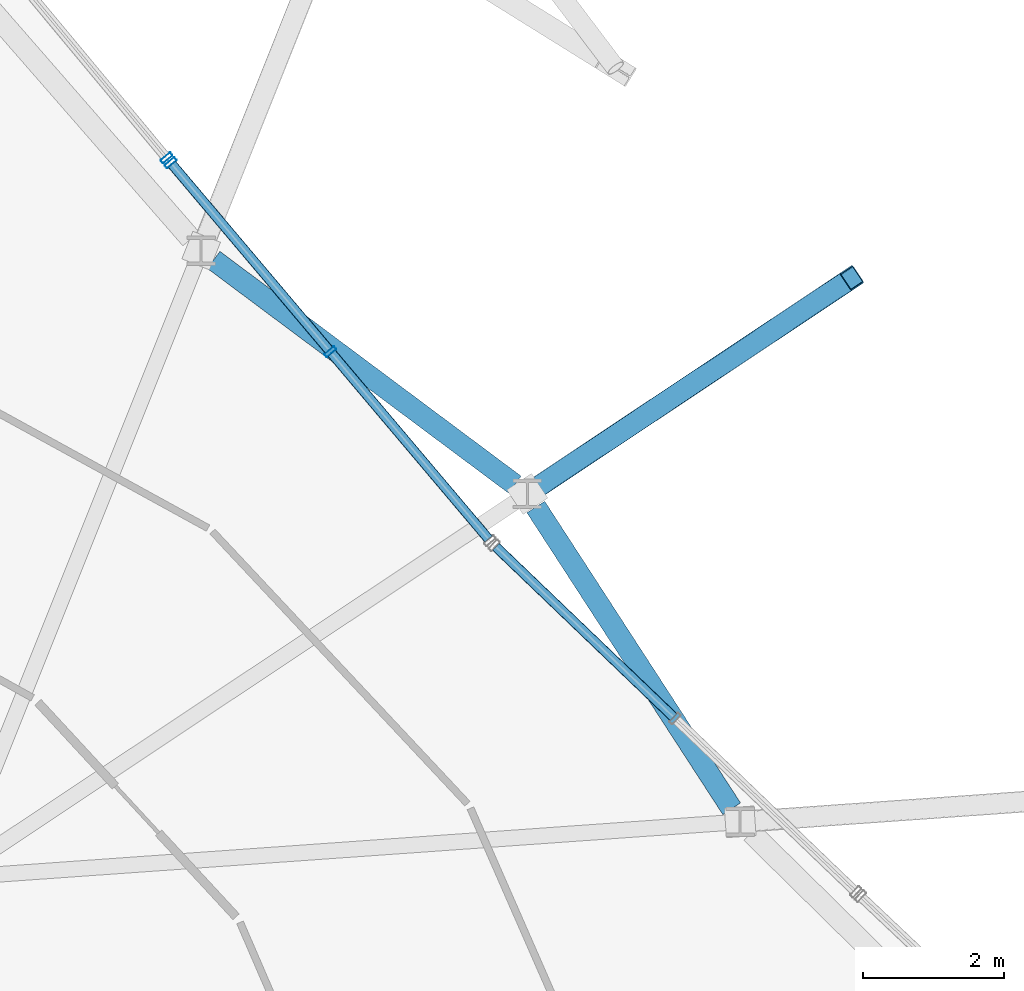
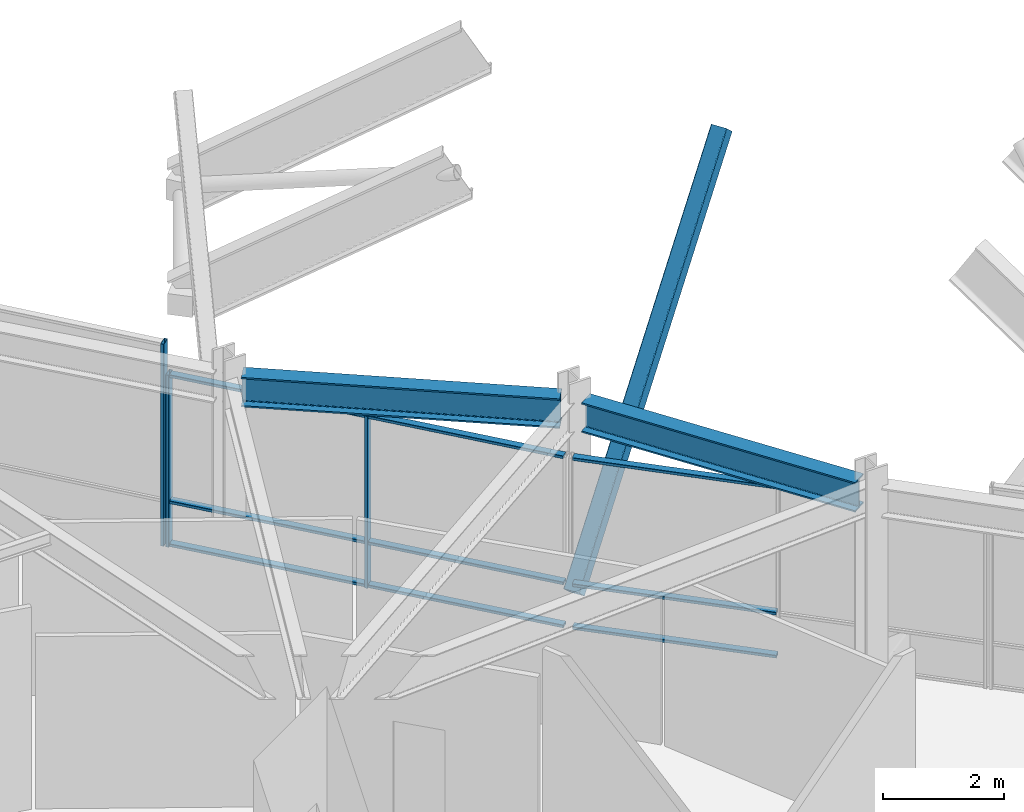
# One storey, part 37 of 53: 13 members, 2 beams, 3 elements without a shape of their own.
"""IFC4 building model written with IfcOpenShell, lengths in metres."""

from ifc_helpers import new_model, si_unit, direction, frame, origin, origin_2d, place, context, subcontext, project, spatial, hollow_rectangle, i_section, extrude, material, layer, layer_set, material_profile, profile_set, type_object, element, aggregate, save


model = new_model("IFC4")

# Units and contexts
model_context = context("Model", 3, precision=1e-05, world=origin(), true_north=direction((0.0, 1.0)))
body_context = subcontext(model_context, "Body", "Model", "MODEL_VIEW")
ifc_project = project(units=[si_unit("LENGTHUNIT", "METRE"), si_unit("AREAUNIT", "SQUARE_METRE"), si_unit("VOLUMEUNIT", "CUBIC_METRE"), si_unit("PLANEANGLEUNIT", "RADIAN"), si_unit("MASSUNIT", "GRAM", prefix="KILO")], contexts=[model_context])

# Site, building, storey
site_placement = place(None, origin())
site = spatial("IfcSite", under=ifc_project, at=site_placement, CompositionType="ELEMENT")
building_placement = place(site_placement, origin())
building = spatial("IfcBuilding", under=site, at=building_placement, Name="Kelanora Arch Commons", CompositionType="ELEMENT")
storey_placement = place(building_placement, frame((0.0, 0.0, 9.0)))
storey = spatial("IfcBuildingStorey", under=building, at=storey_placement, Name="L02", CompositionType="ELEMENT", Elevation=9.0)

# Beams
ifc_material_1 = material(Name="Steel S355", Category="steel")
ifc_material_profile_1 = material_profile(ifc_material_1, i_section(OverallWidth=0.300048828125, OverallDepth=0.60009765625, WebThickness=0.015380859375, FlangeThickness=0.030029296875, FilletRadius=0.027099609375, at=origin_2d()), Name="HEB600")
ifc_profile_set_1 = profile_set([ifc_material_profile_1], Name="Steel S355")
beam_type = type_object("IfcBeamType", Name="BM-SPN-Z1", PredefinedType="SPANDREL", material=ifc_profile_set_1)
beam_1_placement = place(storey_placement, frame((93.046142578125, 65.975341796875, 3.800048828125), z_axis=(-0.544524325677, 0.838745049908, 0.0), x_axis=(-0.838745049908, -0.544524325677, 0.0)))
element("IfcBeam", 1, at=beam_1_placement, inside=storey, type_object=beam_type, Name="Perimeter Spandrel Beam BS-02 L02", PredefinedType="SPANDREL", context=body_context, shape_type="SweptSolid", body=[
    extrude(i_section(OverallWidth=0.300048828125, OverallDepth=0.60009765625, WebThickness=0.015380859375, FlangeThickness=0.030029296875, FilletRadius=0.027099609375, at=origin_2d()), origin(), (0.0, 0.0, 1.0), 5.086669921875),
])
beam_2_placement = place(storey_placement, frame((89.980224609375, 70.5576171875, 3.800048828125), z_axis=(-0.801486366257, 0.598013047269, 0.0), x_axis=(-0.598013047269, -0.801486366257, 0.0)))
element("IfcBeam", 2, at=beam_2_placement, inside=storey, type_object=beam_type, Name="Perimeter Spandrel Beam BS-04 L02", PredefinedType="SPANDREL", context=body_context, shape_type="SweptSolid", body=[
    extrude(i_section(OverallWidth=0.300048828125, OverallDepth=0.60009765625, WebThickness=0.015380859375, FlangeThickness=0.030029296875, FilletRadius=0.027099609375, at=origin_2d()), origin(), (0.0, 0.0, 1.0), 5.31298828125),
])

# Curtain wall, members
ifc_material_2 = material(Name="Terracotta ceramic-fritted low-E glass and aluminium", Category="masonry")
ifc_layer = layer(ifc_material_2, 0.2099609375)
ifc_layer_set = layer_set([ifc_layer], Name="Terracotta ceramic-fritted low-E glass and aluminium")
curtain_wall_type = type_object("IfcCurtainWallType", Name="CW-SYS-04", PredefinedType="NOTDEFINED", material=ifc_layer_set)
curtain_wall_1_placement = place(storey_placement, origin())
curtain_wall_1 = element("IfcCurtainWall", 3, at=curtain_wall_1_placement, inside=storey, type_object=curtain_wall_type, Name="Unitised Curtain Wall L02-B02", PredefinedType="NOTDEFINED")
ifc_material_3 = material(Name="Powder-coated aluminium terracotta", Category="masonry")
ifc_material_profile_2 = material_profile(ifc_material_3, hollow_rectangle(XDim=0.179931640625, YDim=0.06005859375, WallThickness=0.0048828125, InnerFilletRadius=0.0048828125, OuterFilletRadius=0.010009765625, at=origin_2d()), Name="CWM180x60")
ifc_profile_set_2 = profile_set([ifc_material_profile_2], Name="Powder-coated aluminium terracotta")
member_type_1 = type_object("IfcMemberType", Name="CWM-HVY", PredefinedType="MULLION", material=ifc_profile_set_2)
member_1_placement = place(storey_placement, frame((87.37158203125, 72.43701171875, 0.0), z_axis=(0.0, 0.0, 1.0), x_axis=(-0.763854903949, -0.645388011752, 0.0)))
member_1 = element("IfcMember", 4, at=member_1_placement, type_object=member_type_1, Name="CW-04 mullion 2", PredefinedType="MULLION", context=body_context, shape_type="SweptSolid", body=[
    extrude(hollow_rectangle(XDim=0.179931640625, YDim=0.06005859375, WallThickness=0.0048828125, InnerFilletRadius=0.0048828125, OuterFilletRadius=0.010009765625, at=origin_2d()), origin(), (0.0, 0.0, 1.0), 3.47998046875),
])
member_2_placement = place(storey_placement, frame((85.1142578125, 75.108642578125, 0.0), z_axis=(0.0, 0.0, 1.0), x_axis=(-0.763854903949, -0.645388011752, 0.0)))
member_2 = element("IfcMember", 5, at=member_2_placement, type_object=member_type_1, Name="CW-04 mullion 3", PredefinedType="MULLION", context=body_context, shape_type="SweptSolid", body=[
    extrude(hollow_rectangle(XDim=0.179931640625, YDim=0.06005859375, WallThickness=0.0048828125, InnerFilletRadius=0.0048828125, OuterFilletRadius=0.010009765625, at=origin_2d()), origin(), (0.0, 0.0, 1.0), 3.47998046875),
])

# Curtain wall, member
curtain_wall_2_placement = place(storey_placement, origin())
curtain_wall_2 = element("IfcCurtainWall", 6, at=curtain_wall_2_placement, inside=storey, type_object=curtain_wall_type, Name="Unitised Curtain Wall L02-B03", PredefinedType="NOTDEFINED")
member_3_placement = place(storey_placement, frame((85.056396484375, 75.177490234375, 0.0), z_axis=(0.0, 0.0, 1.0), x_axis=(-0.768622918602, -0.639702125211, 0.0)))
member_3 = element("IfcMember", 7, at=member_3_placement, type_object=member_type_1, Name="CW-04 mullion 1", PredefinedType="MULLION", context=body_context, shape_type="SweptSolid", body=[
    extrude(hollow_rectangle(XDim=0.179931640625, YDim=0.06005859375, WallThickness=0.0048828125, InnerFilletRadius=0.0048828125, OuterFilletRadius=0.010009765625, at=origin_2d()), origin(), (0.0, 0.0, 1.0), 4.0849609375),
])
aggregate(curtain_wall_2, [member_3])

# Curtain wall, members
curtain_wall_3_placement = place(storey_placement, origin())
curtain_wall_3 = element("IfcCurtainWall", 8, at=curtain_wall_3_placement, inside=storey, type_object=curtain_wall_type, Name="Unitised Curtain Wall L02-B01", PredefinedType="NOTDEFINED")
ifc_material_profile_3 = material_profile(ifc_material_3, hollow_rectangle(XDim=0.139892578125, YDim=0.06005859375, WallThickness=0.0048828125, InnerFilletRadius=0.0048828125, OuterFilletRadius=0.010009765625, at=origin_2d()), Name="CWT140x60")
ifc_profile_set_3 = profile_set([ifc_material_profile_3], Name="Powder-coated aluminium terracotta")
member_type_2 = type_object("IfcMemberType", Name="CWT-HVY", PredefinedType="USERDEFINED", material=ifc_profile_set_3)
member_4_placement = place(storey_placement, frame((92.223876953125, 67.271240234375, 0.030029296875), z_axis=(-0.721928323992, 0.691967842474, 0.0), x_axis=(-0.691967842474, -0.721928323992, 0.0)))
member_4 = element("IfcMember", 9, at=member_4_placement, type_object=member_type_2, Name="CW-04 transom 2.1", ObjectType="TRANSOM", PredefinedType="USERDEFINED", context=body_context, shape_type="SweptSolid", body=[
    extrude(hollow_rectangle(XDim=0.139892578125, YDim=0.06005859375, WallThickness=0.0048828125, InnerFilletRadius=0.0048828125, OuterFilletRadius=0.010009765625, at=origin_2d()), origin(), (0.0, 0.0, 1.0), 3.4794921875),
])
member_5_placement = place(storey_placement, frame((92.223876953125, 67.271240234375, 0.89990234375), z_axis=(-0.721928323992, 0.691967842474, 0.0), x_axis=(-0.691967842474, -0.721928323992, 0.0)))
member_5 = element("IfcMember", 10, at=member_5_placement, type_object=member_type_2, Name="CW-04 transom 2.2", ObjectType="TRANSOM", PredefinedType="USERDEFINED", context=body_context, shape_type="SweptSolid", body=[
    extrude(hollow_rectangle(XDim=0.139892578125, YDim=0.06005859375, WallThickness=0.0048828125, InnerFilletRadius=0.0048828125, OuterFilletRadius=0.010009765625, at=origin_2d()), origin(), (0.0, 0.0, 1.0), 3.4794921875),
])
member_6_placement = place(storey_placement, frame((92.223876953125, 67.271240234375, 3.449951171875), z_axis=(-0.721928323992, 0.691967842474, 0.0), x_axis=(-0.691967842474, -0.721928323992, 0.0)))
member_6 = element("IfcMember", 11, at=member_6_placement, type_object=member_type_2, Name="CW-04 transom 2.3", ObjectType="TRANSOM", PredefinedType="USERDEFINED", context=body_context, shape_type="SweptSolid", body=[
    extrude(hollow_rectangle(XDim=0.139892578125, YDim=0.06005859375, WallThickness=0.0048828125, InnerFilletRadius=0.0048828125, OuterFilletRadius=0.010009765625, at=origin_2d()), origin(), (0.0, 0.0, 1.0), 3.4794921875),
])
aggregate(curtain_wall_3, [member_4, member_5, member_6])

# Member
member_7_placement = place(storey_placement, frame((89.609375, 69.788330078125, 0.030029296875), z_axis=(-0.645388090188, 0.763854837677, 0.0), x_axis=(-0.763854837677, -0.645388090188, 0.0)))
member_7 = element("IfcMember", 12, at=member_7_placement, type_object=member_type_2, Name="CW-04 transom 1.1", ObjectType="TRANSOM", PredefinedType="USERDEFINED", context=body_context, shape_type="SweptSolid", body=[
    extrude(hollow_rectangle(XDim=0.139892578125, YDim=0.06005859375, WallThickness=0.0048828125, InnerFilletRadius=0.0048828125, OuterFilletRadius=0.010009765625, at=origin_2d()), origin(), (0.0, 0.0, 1.0), 3.4375),
])

member_8_placement = place(storey_placement, frame((89.609375, 69.788330078125, 0.89990234375), z_axis=(-0.645388090188, 0.763854837677, 0.0), x_axis=(-0.763854837677, -0.645388090188, 0.0)))
member_8 = element("IfcMember", 13, at=member_8_placement, type_object=member_type_2, Name="CW-04 transom 1.2", ObjectType="TRANSOM", PredefinedType="USERDEFINED", context=body_context, shape_type="SweptSolid", body=[
    extrude(hollow_rectangle(XDim=0.139892578125, YDim=0.06005859375, WallThickness=0.0048828125, InnerFilletRadius=0.0048828125, OuterFilletRadius=0.010009765625, at=origin_2d()), origin(), (0.0, 0.0, 1.0), 3.4375),
])

member_9_placement = place(storey_placement, frame((89.609375, 69.788330078125, 3.449951171875), z_axis=(-0.645388090188, 0.763854837677, 0.0), x_axis=(-0.763854837677, -0.645388090188, 0.0)))
member_9 = element("IfcMember", 14, at=member_9_placement, type_object=member_type_2, Name="CW-04 transom 1.3", ObjectType="TRANSOM", PredefinedType="USERDEFINED", context=body_context, shape_type="SweptSolid", body=[
    extrude(hollow_rectangle(XDim=0.139892578125, YDim=0.06005859375, WallThickness=0.0048828125, InnerFilletRadius=0.0048828125, OuterFilletRadius=0.010009765625, at=origin_2d()), origin(), (0.0, 0.0, 1.0), 3.4375),
])

member_10_placement = place(storey_placement, frame((87.352294921875, 72.4599609375, 0.030029296875), z_axis=(-0.645429527562, 0.763819824927, 0.0), x_axis=(-0.763819824927, -0.645429527562, 0.0)))
member_10 = element("IfcMember", 15, at=member_10_placement, type_object=member_type_2, Name="CW-04 transom 2.1", ObjectType="TRANSOM", PredefinedType="USERDEFINED", context=body_context, shape_type="SweptSolid", body=[
    extrude(hollow_rectangle(XDim=0.139892578125, YDim=0.06005859375, WallThickness=0.0048828125, InnerFilletRadius=0.0048828125, OuterFilletRadius=0.010009765625, at=origin_2d()), origin(), (0.0, 0.0, 1.0), 3.437744140625),
])

member_11_placement = place(storey_placement, frame((87.352294921875, 72.4599609375, 0.89990234375), z_axis=(-0.645429527562, 0.763819824927, 0.0), x_axis=(-0.763819824927, -0.645429527562, 0.0)))
member_11 = element("IfcMember", 16, at=member_11_placement, type_object=member_type_2, Name="CW-04 transom 2.2", ObjectType="TRANSOM", PredefinedType="USERDEFINED", context=body_context, shape_type="SweptSolid", body=[
    extrude(hollow_rectangle(XDim=0.139892578125, YDim=0.06005859375, WallThickness=0.0048828125, InnerFilletRadius=0.0048828125, OuterFilletRadius=0.010009765625, at=origin_2d()), origin(), (0.0, 0.0, 1.0), 3.437744140625),
])

member_12_placement = place(storey_placement, frame((87.352294921875, 72.4599609375, 3.449951171875), z_axis=(-0.645429527562, 0.763819824927, 0.0), x_axis=(-0.763819824927, -0.645429527562, 0.0)))
member_12 = element("IfcMember", 17, at=member_12_placement, type_object=member_type_2, Name="CW-04 transom 2.3", ObjectType="TRANSOM", PredefinedType="USERDEFINED", context=body_context, shape_type="SweptSolid", body=[
    extrude(hollow_rectangle(XDim=0.139892578125, YDim=0.06005859375, WallThickness=0.0048828125, InnerFilletRadius=0.0048828125, OuterFilletRadius=0.010009765625, at=origin_2d()), origin(), (0.0, 0.0, 1.0), 3.437744140625),
])

aggregate(curtain_wall_1, [member_1, member_2, member_7, member_8, member_9, member_10, member_11, member_12])

ifc_material_profile_4 = material_profile(ifc_material_1, hollow_rectangle(XDim=0.300048828125, YDim=0.300048828125, WallThickness=0.01611328125, InnerFilletRadius=0.01611328125, OuterFilletRadius=0.031982421875, at=origin_2d()), Name="SHS300x300x16")
ifc_profile_set_4 = profile_set([ifc_material_profile_4], Name="Steel S355")
member_type_3 = type_object("IfcMemberType", Name="MEM-ARCH-SPND", PredefinedType="STRUT", material=ifc_profile_set_4)
member_13_placement = place(storey_placement, frame((90.156494140625, 70.426025390625, 0.10009765625), z_axis=(0.566242940323, 0.376711858233, 0.733114662519), x_axis=(-0.553902449507, 0.832581573439, 0.0)))
element("IfcMember", 18, at=member_13_placement, inside=storey, type_object=member_type_3, Name="Giant Arch Spandrel Strut 04", PredefinedType="STRUT", context=body_context, shape_type="SweptSolid", body=[
    extrude(hollow_rectangle(XDim=0.300048828125, YDim=0.300048828125, WallThickness=0.01611328125, InnerFilletRadius=0.01611328125, OuterFilletRadius=0.031982421875, at=origin_2d()), origin(), (0.0, 0.0, 1.0), 8.102294921875),
])

save(model, "model.ifc")
